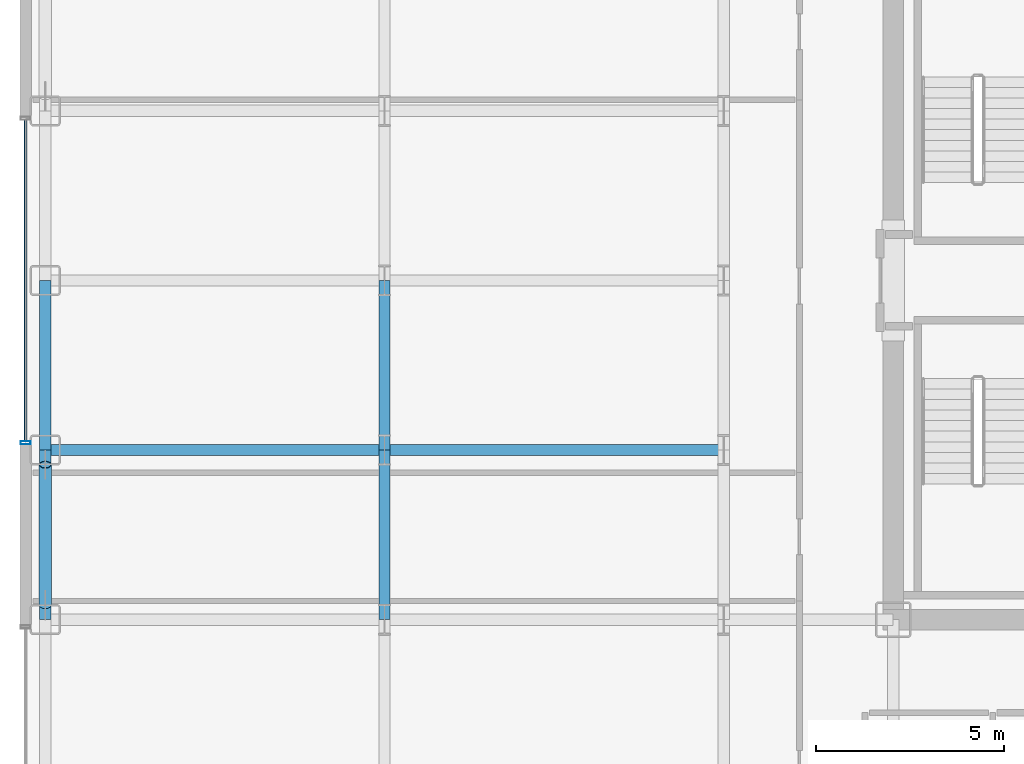
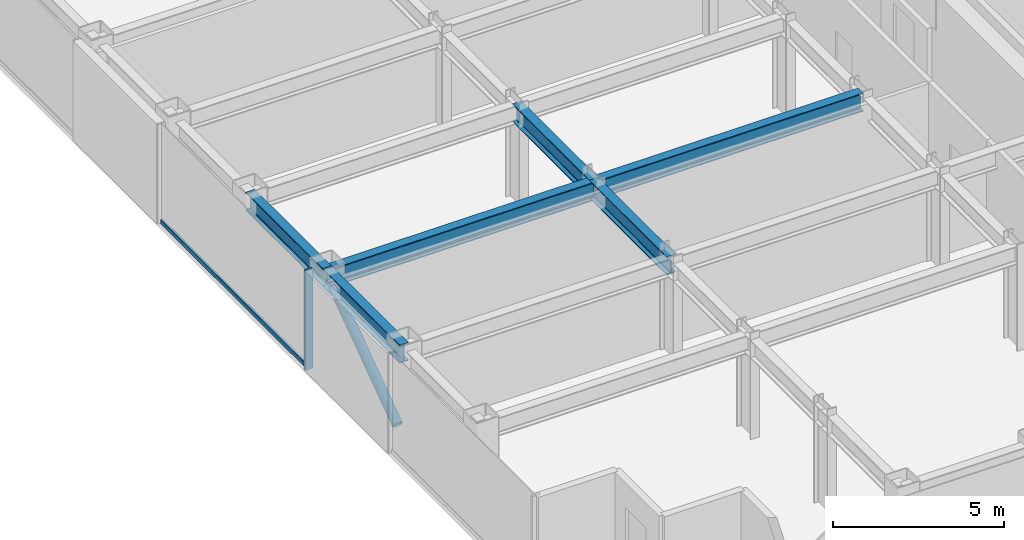
# One storey, part 6 of 26: 6 beams, 3 members, 1 element without a shape of its own.
"""IFC4 building model written with IfcOpenShell, lengths in metres."""

from ifc_helpers import new_model, si_unit, direction, frame, origin, origin_2d, place, context, subcontext, project, spatial, hollow_rectangle, hollow_circle, i_section, extrude, source, transform, mapped, material, layer, layer_set, material_profile, profile_set, type_object, element, aggregate, save


model = new_model("IFC4")

# Units and contexts
model_context = context("Model", 3, precision=1e-05, world=origin(), true_north=direction((0.0, 1.0)))
body_context = subcontext(model_context, "Body", "Model", "MODEL_VIEW")
ifc_project = project(units=[si_unit("LENGTHUNIT", "METRE"), si_unit("AREAUNIT", "SQUARE_METRE"), si_unit("VOLUMEUNIT", "CUBIC_METRE"), si_unit("PLANEANGLEUNIT", "RADIAN"), si_unit("MASSUNIT", "GRAM", prefix="KILO")], contexts=[model_context])

# Site, building, storey
site_placement = place(None, origin())
site = spatial("IfcSite", under=ifc_project, at=site_placement, CompositionType="ELEMENT")
building_placement = place(site_placement, origin())
building = spatial("IfcBuilding", under=site, at=building_placement, Name="Nefas-Gora Pilgrimage Tower", CompositionType="ELEMENT")
storey_placement = place(building_placement, frame((0.0, 0.0, 160.199951171875)))
storey = spatial("IfcBuildingStorey", under=building, at=storey_placement, Name="L39", CompositionType="ELEMENT", Elevation=160.199951171875)

# Beams
ifc_material_1 = material(Name="Steel S355", Category="steel")
ifc_material_profile_1 = material_profile(ifc_material_1, i_section(OverallWidth=0.300048828125, OverallDepth=0.64990234375, WebThickness=0.01611328125, FlangeThickness=0.031005859375, FilletRadius=0.027099609375, at=origin_2d()), Name="HEB 650")
ifc_profile_set_1 = profile_set([ifc_material_profile_1], Name="Steel S355")
beam_type_1 = type_object("IfcBeamType", Name="BM-SPN-HEB500", PredefinedType="SPANDREL", material=ifc_profile_set_1)
shared_shape_1 = source(origin(), body_context, "Body", "SweptSolid", [
    extrude(i_section(OverallWidth=0.300048828125, OverallDepth=0.64990234375, WebThickness=0.01611328125, FlangeThickness=0.031005859375, FilletRadius=0.027099609375, at=origin_2d()), origin(), (0.0, 0.0, 1.0), 4.5),
])
for number, where, z_axis, x_axis, name in (
    (1, (-33.75, -9.0, 3.22509765625), (0.0, 1.0, 0.0), (-1.0, 0.0, 0.0), "L39 SP-02 beam"),
    (2, (-33.75, -4.5, 3.22509765625), (0.0, 1.0, 0.0), (-1.0, 0.0, 0.0), "L39 SP-02 beam"),
):
    element("IfcBeam", number, at=place(storey_placement, frame(where, z_axis=z_axis, x_axis=x_axis)), inside=storey, type_object=beam_type_1, Name=name, PredefinedType="SPANDREL", context=body_context, shape_type="MappedRepresentation", body=[
        mapped(shared_shape_1, transform((0.0, 0.0, 0.0), x_axis=(1.0, 0.0, 0.0), y_axis=(0.0, 1.0, 0.0), z_axis=(0.0, 0.0, 1.0), scale=1.0)),
    ])
ifc_material_profile_2 = material_profile(ifc_material_1, i_section(OverallWidth=0.300048828125, OverallDepth=0.64990234375, WebThickness=0.01611328125, FlangeThickness=0.031005859375, FilletRadius=0.027099609375, at=origin_2d()), Name="HEB 650")
ifc_profile_set_2 = profile_set([ifc_material_profile_2], Name="Steel S355")
beam_type_2 = type_object("IfcBeamType", Name="BM-GIR-HEB650", PredefinedType="BEAM", material=ifc_profile_set_2)
shared_shape_2 = source(origin(), body_context, "Body", "SweptSolid", [
    extrude(i_section(OverallWidth=0.300048828125, OverallDepth=0.64990234375, WebThickness=0.01611328125, FlangeThickness=0.031005859375, FilletRadius=0.027099609375, at=origin_2d()), origin(), (0.0, 0.0, 1.0), 9.0),
])
for number, where, z_axis, x_axis, name in (
    (3, (-33.75, -4.5, 3.22509765625), (1.0, 0.0, 0.0), (0.0, 1.0, 0.0), "L39 G-03 beam"),
    (4, (-24.75, -4.5, 3.22509765625), (1.0, 0.0, 0.0), (0.0, 1.0, 0.0), "L39 G-03 beam"),
):
    element("IfcBeam", number, at=place(storey_placement, frame(where, z_axis=z_axis, x_axis=x_axis)), inside=storey, type_object=beam_type_2, Name=name, PredefinedType="BEAM", context=body_context, shape_type="MappedRepresentation", body=[
        mapped(shared_shape_2, transform((0.0, 0.0, 0.0), x_axis=(1.0, 0.0, 0.0), y_axis=(0.0, 1.0, 0.0), z_axis=(0.0, 0.0, 1.0), scale=1.0)),
    ])
shared_shape_3 = source(origin(), body_context, "Body", "SweptSolid", [
    extrude(i_section(OverallWidth=0.300048828125, OverallDepth=0.64990234375, WebThickness=0.01611328125, FlangeThickness=0.031005859375, FilletRadius=0.027099609375, at=origin_2d()), origin(), (0.0, 0.0, 1.0), 4.5),
])
for number, where, z_axis, x_axis, name in (
    (5, (-24.75, -9.0, 3.22509765625), (0.0, 1.0, 0.0), (-1.0, 0.0, 0.0), "L39 G-03 beam"),
    (6, (-24.75, -4.5, 3.22509765625), (0.0, 1.0, 0.0), (-1.0, 0.0, 0.0), "L39 G-03 beam"),
):
    element("IfcBeam", number, at=place(storey_placement, frame(where, z_axis=z_axis, x_axis=x_axis)), inside=storey, type_object=beam_type_2, Name=name, PredefinedType="BEAM", context=body_context, shape_type="MappedRepresentation", body=[
        mapped(shared_shape_3, transform((0.0, 0.0, 0.0), x_axis=(1.0, 0.0, 0.0), y_axis=(0.0, 1.0, 0.0), z_axis=(0.0, 0.0, 1.0), scale=1.0)),
    ])

# Member
ifc_material_profile_3 = material_profile(ifc_material_1, hollow_circle(Radius=0.161865234375, WallThickness=0.02001953125, at=origin_2d()), Name="CHS 323.9x20")
ifc_profile_set_3 = profile_set([ifc_material_profile_3], Name="Steel S355")
member_type_1 = type_object("IfcMemberType", Name="MEM-TUBE-324", PredefinedType="BRACE", material=ifc_profile_set_3)
shared_shape_4 = source(origin(), body_context, "Body", "SweptSolid", [
    extrude(hollow_circle(Radius=0.161865234375, WallThickness=0.02001953125, at=origin_2d()), origin(), (0.0, 0.0, 1.0), 4.579345703125),
])
member_1_placement = place(storey_placement, frame((-33.75, -8.612060546875, 0.427734375), z_axis=(0.0, 0.813246879171, 0.581918820385), x_axis=(-1.0, 0.0, 0.0)))
element("IfcMember", 7, at=member_1_placement, inside=storey, type_object=member_type_1, Name="L39 Perimeter Tube Diagonal Brace W1", PredefinedType="BRACE", context=body_context, shape_type="MappedRepresentation", body=[
    mapped(shared_shape_4, transform((0.0, 0.0, 0.0), x_axis=(1.0, 0.0, 0.0), y_axis=(0.0, 1.0, 0.0), z_axis=(0.0, 0.0, 1.0), scale=1.0)),
])

# Curtain wall, members
ifc_material_2 = material(Name="Dark ceramic-fritted solar-control aluminium-glass curtain wall", Category="aluminium")
ifc_layer = layer(ifc_material_2, 0.219970703125)
ifc_layer_set = layer_set([ifc_layer], Name="Dark ceramic-fritted solar-control aluminium-glass curtain wall")
curtain_wall_type = type_object("IfcCurtainWallType", Name="CW-SYS-3", PredefinedType="NOTDEFINED", material=ifc_layer_set)
curtain_wall_placement = place(storey_placement, origin())
curtain_wall = element("IfcCurtainWall", 8, at=curtain_wall_placement, inside=storey, type_object=curtain_wall_type, Name="L39 Unitised Curtain Wall CW3", PredefinedType="NOTDEFINED")
ifc_material_3 = material(Name="Anodised architectural aluminium", Category="aluminium")
ifc_material_profile_4 = material_profile(ifc_material_3, hollow_rectangle(XDim=0.090087890625, YDim=0.260009765625, WallThickness=0.006103515625, InnerFilletRadius=0.006103515625, OuterFilletRadius=0.011962890625, at=origin_2d()), Name="ALU MULLION 90x260")
ifc_profile_set_4 = profile_set([ifc_material_profile_4], Name="Anodised architectural aluminium")
member_type_2 = type_object("IfcMemberType", Name="CWM-MUL-3", PredefinedType="MULLION", material=ifc_profile_set_4)
shared_shape_5 = source(origin(), body_context, "Body", "SweptSolid", [
    extrude(hollow_rectangle(XDim=0.090087890625, YDim=0.260009765625, WallThickness=0.006103515625, InnerFilletRadius=0.006103515625, OuterFilletRadius=0.011962890625, at=origin_2d()), origin(), (0.0, 0.0, 1.0), 3.550048828125),
])
member_2_placement = place(storey_placement, frame((-34.27001953125, -4.304931640625, 0.0), z_axis=(0.0, 0.0, 1.0), x_axis=(0.0, -1.0, 0.0)))
member_2 = element("IfcMember", 9, at=member_2_placement, type_object=member_type_2, Name="CW3 Mullion 2", PredefinedType="MULLION", context=body_context, shape_type="MappedRepresentation", body=[
    mapped(shared_shape_5, transform((0.0, 0.0, 0.0), x_axis=(1.0, 0.0, 0.0), y_axis=(0.0, 1.0, 0.0), z_axis=(0.0, 0.0, 1.0), scale=1.0)),
])
ifc_material_profile_5 = material_profile(ifc_material_3, hollow_rectangle(XDim=0.080078125, YDim=0.159912109375, WallThickness=0.00439453125, InnerFilletRadius=0.00439453125, OuterFilletRadius=0.009033203125, at=origin_2d()), Name="ALU TRANSOM 80x160")
ifc_profile_set_5 = profile_set([ifc_material_profile_5], Name="Anodised architectural aluminium")
member_type_3 = type_object("IfcMemberType", Name="CWM-TRN-3", PredefinedType="USERDEFINED", material=ifc_profile_set_5)
shared_shape_6 = source(origin(), body_context, "Body", "SweptSolid", [
    extrude(hollow_rectangle(XDim=0.080078125, YDim=0.159912109375, WallThickness=0.00439453125, InnerFilletRadius=0.00439453125, OuterFilletRadius=0.009033203125, at=origin_2d()), origin(), (0.0, 0.0, 1.0), 8.52001953125),
])
member_3_placement = place(storey_placement, frame((-34.27001953125, 4.260009765625, 0.050048828125), z_axis=(0.0, -1.0, 0.0), x_axis=(1.0, 0.0, 0.0)))
member_3 = element("IfcMember", 10, at=member_3_placement, type_object=member_type_3, Name="CW3 Spandrel Transom", ObjectType="TRANSOM", PredefinedType="USERDEFINED", context=body_context, shape_type="MappedRepresentation", body=[
    mapped(shared_shape_6, transform((0.0, 0.0, 0.0), x_axis=(1.0, 0.0, 0.0), y_axis=(0.0, 1.0, 0.0), z_axis=(0.0, 0.0, 1.0), scale=1.0)),
])
aggregate(curtain_wall, [member_2, member_3])

save(model, "model.ifc")
